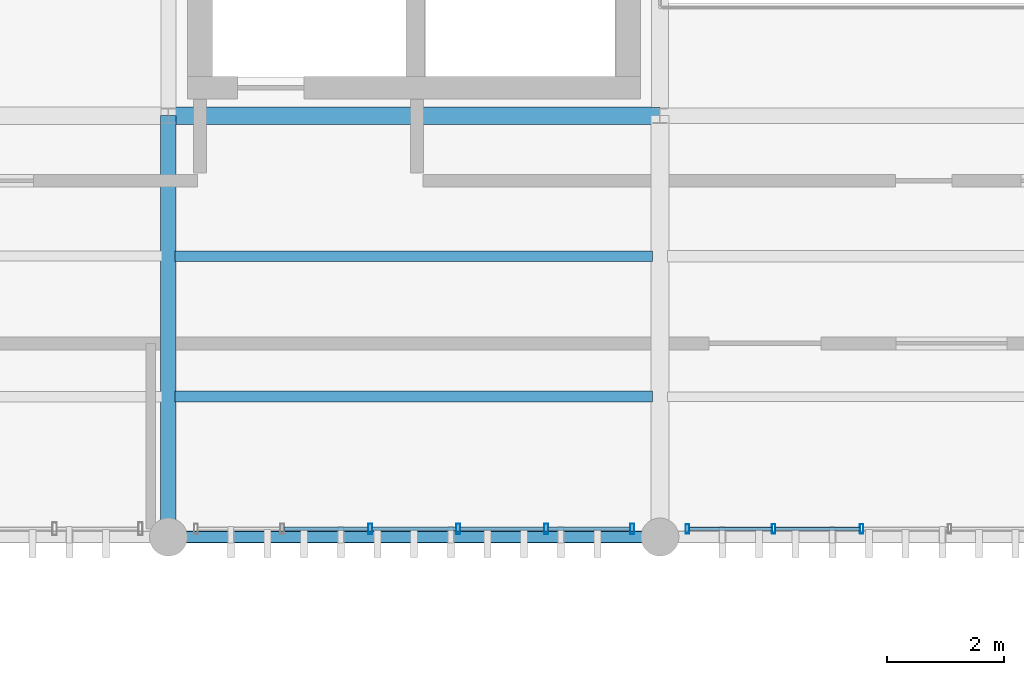
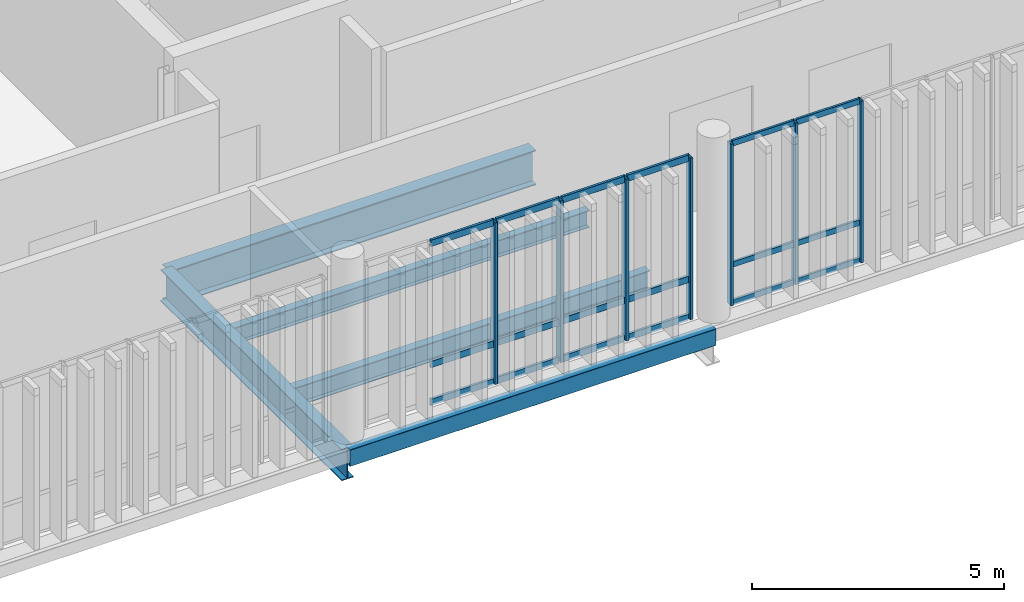
# One storey, part 24 of 66: 25 members, 5 beams, 2 elements without a shape of their own.
"""IFC4 building model written with IfcOpenShell, lengths in metres."""

from ifc_helpers import new_model, si_unit, direction, frame, origin_with_axes, origin_2d_with_axis, place, context, subcontext, project, spatial, hollow_rectangle, i_section, extrude, material, material_profile, profile_set, type_object, element, aggregate, save


model = new_model("IFC4")

# Units and contexts
model_context = context("Model", 3, precision=1e-05, world=origin_with_axes(), true_north=direction((0.0, 1.0)))
body_context = subcontext(model_context, "Body", "Model", "MODEL_VIEW")
ifc_project = project(units=[si_unit("LENGTHUNIT", "METRE"), si_unit("AREAUNIT", "SQUARE_METRE"), si_unit("VOLUMEUNIT", "CUBIC_METRE"), si_unit("PLANEANGLEUNIT", "RADIAN"), si_unit("MASSUNIT", "GRAM", prefix="KILO"), si_unit("THERMODYNAMICTEMPERATUREUNIT", "KELVIN")], contexts=[model_context])

# Site, building, storey
site_placement = place(None, origin_with_axes())
site = spatial("IfcSite", under=ifc_project, at=site_placement, CompositionType="ELEMENT")
building_placement = place(site_placement, origin_with_axes())
building = spatial("IfcBuilding", under=site, at=building_placement, Name="Montbau Bow Law Courts", CompositionType="ELEMENT")
storey_placement = place(building_placement, frame((0.0, 0.0, 34.5), z_axis=(0.0, 0.0, 1.0), x_axis=(1.0, 0.0, 0.0)))
storey = spatial("IfcBuildingStorey", under=building, at=storey_placement, Name="L07", CompositionType="ELEMENT", Elevation=34.5)

# Beams
ifc_material_1 = material(Name="Steel CSA G40.21 Grade 350W (350 MPa)", Category="steel")
ifc_material_profile_1 = material_profile(ifc_material_1, i_section(OverallWidth=0.293, OverallDepth=0.846, WebThickness=0.0154, FlangeThickness=0.0244, at=origin_2d_with_axis()), Name="W840X210", Category="Main", Priority=0)
ifc_profile_set_1 = profile_set([ifc_material_profile_1], Name="Steel CSA G40.21 Grade 350W (350 MPa)")
beam_type_1 = type_object("IfcBeamType", Name="B-FLR-02", PredefinedType="BEAM", material=ifc_profile_set_1)
beam_1_placement = place(None, frame((80.4, 46.2, 33.777), z_axis=(1.0, 0.0, 0.0), x_axis=(0.0, 1.0, 0.0)))
element("IfcBeam", 1, at=beam_1_placement, inside=storey, type_object=beam_type_1, Name="BM-L07-S1027:bm2_1030", PredefinedType="BEAM", context=body_context, shape_type="SweptSolid", body=[
    extrude(i_section(OverallWidth=0.293, OverallDepth=0.846, WebThickness=0.0154, FlangeThickness=0.0244, at=origin_2d_with_axis()), origin_with_axes(), (0.0, 0.0, 1.0), 8.4),
])
ifc_material_profile_2 = material_profile(ifc_material_1, i_section(OverallWidth=0.267, OverallDepth=0.766, WebThickness=0.0149, FlangeThickness=0.0236, at=origin_2d_with_axis()), Name="W760X185", Category="Main", Priority=0)
ifc_profile_set_2 = profile_set([ifc_material_profile_2], Name="Steel CSA G40.21 Grade 350W (350 MPa)")
beam_type_2 = type_object("IfcBeamType", Name="B-FLR-03", PredefinedType="BEAM", material=ifc_profile_set_2)
beam_2_placement = place(None, frame((80.4, 39.0, 33.817), z_axis=(0.0, 1.0, 0.0), x_axis=(-1.0, 0.0, 0.0)))
element("IfcBeam", 2, at=beam_2_placement, inside=storey, type_object=beam_type_2, Name="BM-L07-S1050:bm2_1053", PredefinedType="BEAM", context=body_context, shape_type="SweptSolid", body=[
    extrude(i_section(OverallWidth=0.267, OverallDepth=0.766, WebThickness=0.0149, FlangeThickness=0.0236, at=origin_2d_with_axis()), origin_with_axes(), (0.0, 0.0, 1.0), 7.2),
])
ifc_material_profile_3 = material_profile(ifc_material_1, i_section(OverallWidth=0.191, OverallDepth=0.46, WebThickness=0.0099, FlangeThickness=0.016, at=origin_2d_with_axis()), Name="W460X82", Category="Main", Priority=0)
ifc_profile_set_3 = profile_set([ifc_material_profile_3], Name="Steel CSA G40.21 Grade 350W (350 MPa)")
beam_type_3 = type_object("IfcBeamType", Name="B-JST-01", PredefinedType="JOIST", material=ifc_profile_set_3)
beam_3_placement = place(None, frame((80.51, 41.4, 33.97), z_axis=(1.0, 0.0, 0.0), x_axis=(0.0, 1.0, 0.0)))
element("IfcBeam", 3, at=beam_3_placement, inside=storey, type_object=beam_type_3, Name="JST-L07-S0536:jst2_0536", PredefinedType="JOIST", context=body_context, shape_type="SweptSolid", body=[
    extrude(i_section(OverallWidth=0.191, OverallDepth=0.46, WebThickness=0.0099, FlangeThickness=0.016, at=origin_2d_with_axis()), origin_with_axes(), (0.0, 0.0, 1.0), 8.161),
])
ifc_material_profile_4 = material_profile(ifc_material_1, i_section(OverallWidth=0.179, OverallDepth=0.41, WebThickness=0.0088, FlangeThickness=0.0144, at=origin_2d_with_axis()), Name="W410X67", Category="Main", Priority=0)
ifc_profile_set_4 = profile_set([ifc_material_profile_4], Name="Steel CSA G40.21 Grade 350W (350 MPa)")
beam_type_4 = type_object("IfcBeamType", Name="B-JST-02", PredefinedType="JOIST", material=ifc_profile_set_4)
beam_4_placement = place(None, frame((80.51, 43.8, 33.995), z_axis=(1.0, 0.0, 0.0), x_axis=(0.0, 1.0, 0.0)))
element("IfcBeam", 4, at=beam_4_placement, inside=storey, type_object=beam_type_4, Name="JST-L07-S0537:jst2_0537", PredefinedType="JOIST", context=body_context, shape_type="SweptSolid", body=[
    extrude(i_section(OverallWidth=0.179, OverallDepth=0.41, WebThickness=0.0088, FlangeThickness=0.0144, at=origin_2d_with_axis()), origin_with_axes(), (0.0, 0.0, 1.0), 8.161),
])
ifc_material_2 = material(Name="Steel CSA G40.21 Grade 350WT (350 MPa)", Category="steel")
ifc_material_profile_5 = material_profile(ifc_material_2, hollow_rectangle(XDim=0.203, YDim=0.406, WallThickness=0.0127, InnerFilletRadius=0.0254, OuterFilletRadius=0.0127, at=origin_2d_with_axis()), Name="HSS406X203X13", Category="Main", Priority=0)
ifc_profile_set_5 = profile_set([ifc_material_profile_5], Name="Steel CSA G40.21 Grade 350WT (350 MPa)")
beam_type_5 = type_object("IfcBeamType", Name="B-SPN-01", PredefinedType="SPANDREL", material=ifc_profile_set_5)
beam_5_placement = place(None, frame((80.4, 39.0, 33.997), z_axis=(1.0, 0.0, 0.0), x_axis=(0.0, 1.0, 0.0)))
element("IfcBeam", 5, at=beam_5_placement, inside=storey, type_object=beam_type_5, Name="SPN-L07-S1021:bm2_1024", PredefinedType="SPANDREL", context=body_context, shape_type="SweptSolid", body=[
    extrude(hollow_rectangle(XDim=0.203, YDim=0.406, WallThickness=0.0127, InnerFilletRadius=0.0254, OuterFilletRadius=0.0127, at=origin_2d_with_axis()), origin_with_axes(), (0.0, 0.0, 1.0), 8.4),
])

# Curtain wall, members
ifc_material_3 = material(Name="Thermally Broken Extruded Aluminium AA 6063-T6", Category="aluminium")
curtain_wall_type = type_object("IfcCurtainWallType", Name="CW-CRM-02", PredefinedType="NOTDEFINED", material=ifc_material_3)
curtain_wall_1_placement = place(None, frame((80.84, 39.14, 34.5), z_axis=(0.0, 0.0, 1.0), x_axis=(1.0, 0.0, 0.0)))
curtain_wall_1 = element("IfcCurtainWall", 6, at=curtain_wall_1_placement, inside=storey, type_object=curtain_wall_type, Name="CW-L07-244:cw_0244", PredefinedType="NOTDEFINED")
ifc_material_profile_6 = material_profile(ifc_material_3, hollow_rectangle(XDim=0.065, YDim=0.18, WallThickness=0.005, InnerFilletRadius=0.01, OuterFilletRadius=0.005, at=origin_2d_with_axis()), Name="CWM-180X65", Category="Main", Priority=0)
ifc_profile_set_6 = profile_set([ifc_material_profile_6], Name="Thermally Broken Extruded Aluminium AA 6063-T6")
member_type_1 = type_object("IfcMemberType", Name="M-MUL-02", PredefinedType="MULLION", material=ifc_profile_set_6)
member_1_placement = place(None, frame((83.848, 39.14, 34.5), z_axis=(0.0, 0.0, 1.0), x_axis=(1.0, 0.0, 0.0)))
member_1 = element("IfcMember", 7, at=member_1_placement, type_object=member_type_1, Name="CW-L07-244-M03:cw_0244_M03", PredefinedType="MULLION", context=body_context, shape_type="SweptSolid", body=[
    extrude(hollow_rectangle(XDim=0.065, YDim=0.18, WallThickness=0.005, InnerFilletRadius=0.01, OuterFilletRadius=0.005, at=origin_2d_with_axis()), origin_with_axes(), (0.0, 0.0, 1.0), 3.92),
])
member_2_placement = place(None, frame((85.352, 39.14, 34.5), z_axis=(0.0, 0.0, 1.0), x_axis=(1.0, 0.0, 0.0)))
member_2 = element("IfcMember", 8, at=member_2_placement, type_object=member_type_1, Name="CW-L07-244-M04:cw_0244_M04", PredefinedType="MULLION", context=body_context, shape_type="SweptSolid", body=[
    extrude(hollow_rectangle(XDim=0.065, YDim=0.18, WallThickness=0.005, InnerFilletRadius=0.01, OuterFilletRadius=0.005, at=origin_2d_with_axis()), origin_with_axes(), (0.0, 0.0, 1.0), 3.92),
])
member_3_placement = place(None, frame((86.856, 39.14, 34.5), z_axis=(0.0, 0.0, 1.0), x_axis=(1.0, 0.0, 0.0)))
member_3 = element("IfcMember", 9, at=member_3_placement, type_object=member_type_1, Name="CW-L07-244-M05:cw_0244_M05", PredefinedType="MULLION", context=body_context, shape_type="SweptSolid", body=[
    extrude(hollow_rectangle(XDim=0.065, YDim=0.18, WallThickness=0.005, InnerFilletRadius=0.01, OuterFilletRadius=0.005, at=origin_2d_with_axis()), origin_with_axes(), (0.0, 0.0, 1.0), 3.92),
])
member_4_placement = place(None, frame((88.327, 39.14, 34.5), z_axis=(0.0, 0.0, 1.0), x_axis=(1.0, 0.0, 0.0)))
member_4 = element("IfcMember", 10, at=member_4_placement, type_object=member_type_1, Name="CW-L07-244-M06:cw_0244_M06", PredefinedType="MULLION", context=body_context, shape_type="SweptSolid", body=[
    extrude(hollow_rectangle(XDim=0.065, YDim=0.18, WallThickness=0.005, InnerFilletRadius=0.01, OuterFilletRadius=0.005, at=origin_2d_with_axis()), origin_with_axes(), (0.0, 0.0, 1.0), 3.92),
])

curtain_wall_2_placement = place(None, frame((89.24, 39.14, 34.5), z_axis=(0.0, 0.0, 1.0), x_axis=(1.0, 0.0, 0.0)))
curtain_wall_2 = element("IfcCurtainWall", 11, at=curtain_wall_2_placement, inside=storey, type_object=curtain_wall_type, Name="CW-L07-245:cw_0245", PredefinedType="NOTDEFINED")
ifc_material_profile_7 = material_profile(ifc_material_3, hollow_rectangle(XDim=0.06, YDim=0.16, WallThickness=0.004, InnerFilletRadius=0.008, OuterFilletRadius=0.004, at=origin_2d_with_axis()), Name="CWM-160X60", Category="Main", Priority=0)
ifc_profile_set_7 = profile_set([ifc_material_profile_7], Name="Thermally Broken Extruded Aluminium AA 6063-T6")
member_type_2 = type_object("IfcMemberType", Name="M-MUL-03", PredefinedType="MULLION", material=ifc_profile_set_7)
member_5_placement = place(None, frame((89.27, 39.14, 34.5), z_axis=(0.0, 0.0, 1.0), x_axis=(1.0, 0.0, 0.0)))
member_5 = element("IfcMember", 12, at=member_5_placement, type_object=member_type_2, Name="CW-L07-245-M01:cw_0245_M01", PredefinedType="MULLION", context=body_context, shape_type="SweptSolid", body=[
    extrude(hollow_rectangle(XDim=0.06, YDim=0.16, WallThickness=0.004, InnerFilletRadius=0.008, OuterFilletRadius=0.004, at=origin_2d_with_axis()), origin_with_axes(), (0.0, 0.0, 1.0), 3.92),
])
member_6_placement = place(None, frame((90.744, 39.14, 34.5), z_axis=(0.0, 0.0, 1.0), x_axis=(1.0, 0.0, 0.0)))
member_6 = element("IfcMember", 13, at=member_6_placement, type_object=member_type_2, Name="CW-L07-245-M02:cw_0245_M02", PredefinedType="MULLION", context=body_context, shape_type="SweptSolid", body=[
    extrude(hollow_rectangle(XDim=0.06, YDim=0.16, WallThickness=0.004, InnerFilletRadius=0.008, OuterFilletRadius=0.004, at=origin_2d_with_axis()), origin_with_axes(), (0.0, 0.0, 1.0), 3.92),
])
member_7_placement = place(None, frame((92.248, 39.14, 34.5), z_axis=(0.0, 0.0, 1.0), x_axis=(1.0, 0.0, 0.0)))
member_7 = element("IfcMember", 14, at=member_7_placement, type_object=member_type_2, Name="CW-L07-245-M03:cw_0245_M03", PredefinedType="MULLION", context=body_context, shape_type="SweptSolid", body=[
    extrude(hollow_rectangle(XDim=0.06, YDim=0.16, WallThickness=0.004, InnerFilletRadius=0.008, OuterFilletRadius=0.004, at=origin_2d_with_axis()), origin_with_axes(), (0.0, 0.0, 1.0), 3.92),
])

# Member
ifc_material_profile_8 = material_profile(ifc_material_3, hollow_rectangle(XDim=0.06, YDim=0.16, WallThickness=0.004, InnerFilletRadius=0.008, OuterFilletRadius=0.004, at=origin_2d_with_axis()), Name="CWT-160X60", Category="Main", Priority=0)
ifc_profile_set_8 = profile_set([ifc_material_profile_8], Name="Thermally Broken Extruded Aluminium AA 6063-T6")
member_type_3 = type_object("IfcMemberType", Name="M-TRN-01", PredefinedType="USERDEFINED", material=ifc_profile_set_8)
member_8_placement = place(None, frame((82.378, 39.14, 34.53), z_axis=(1.0, 0.0, 0.0), x_axis=(0.0, 1.0, 0.0)))
member_8 = element("IfcMember", 15, at=member_8_placement, type_object=member_type_3, Name="CW-L07-244-T02-1:cw_0244_T02_1", ObjectType="TRANSOM", PredefinedType="USERDEFINED", context=body_context, shape_type="SweptSolid", body=[
    extrude(hollow_rectangle(XDim=0.06, YDim=0.16, WallThickness=0.004, InnerFilletRadius=0.008, OuterFilletRadius=0.004, at=origin_2d_with_axis()), origin_with_axes(), (0.0, 0.0, 1.0), 1.436),
])

member_9_placement = place(None, frame((82.378, 39.14, 35.45), z_axis=(1.0, 0.0, 0.0), x_axis=(0.0, 1.0, 0.0)))
member_9 = element("IfcMember", 16, at=member_9_placement, type_object=member_type_3, Name="CW-L07-244-T02-2:cw_0244_T02_2", ObjectType="TRANSOM", PredefinedType="USERDEFINED", context=body_context, shape_type="SweptSolid", body=[
    extrude(hollow_rectangle(XDim=0.06, YDim=0.16, WallThickness=0.004, InnerFilletRadius=0.008, OuterFilletRadius=0.004, at=origin_2d_with_axis()), origin_with_axes(), (0.0, 0.0, 1.0), 1.436),
])

member_10_placement = place(None, frame((82.378, 39.14, 38.39), z_axis=(1.0, 0.0, 0.0), x_axis=(0.0, 1.0, 0.0)))
member_10 = element("IfcMember", 17, at=member_10_placement, type_object=member_type_3, Name="CW-L07-244-T02-3:cw_0244_T02_3", ObjectType="TRANSOM", PredefinedType="USERDEFINED", context=body_context, shape_type="SweptSolid", body=[
    extrude(hollow_rectangle(XDim=0.06, YDim=0.16, WallThickness=0.004, InnerFilletRadius=0.008, OuterFilletRadius=0.004, at=origin_2d_with_axis()), origin_with_axes(), (0.0, 0.0, 1.0), 1.436),
])

member_11_placement = place(None, frame((83.882, 39.14, 34.53), z_axis=(1.0, 0.0, 0.0), x_axis=(0.0, 1.0, 0.0)))
member_11 = element("IfcMember", 18, at=member_11_placement, type_object=member_type_3, Name="CW-L07-244-T03-1:cw_0244_T03_1", ObjectType="TRANSOM", PredefinedType="USERDEFINED", context=body_context, shape_type="SweptSolid", body=[
    extrude(hollow_rectangle(XDim=0.06, YDim=0.16, WallThickness=0.004, InnerFilletRadius=0.008, OuterFilletRadius=0.004, at=origin_2d_with_axis()), origin_with_axes(), (0.0, 0.0, 1.0), 1.436),
])

member_12_placement = place(None, frame((83.882, 39.14, 35.45), z_axis=(1.0, 0.0, 0.0), x_axis=(0.0, 1.0, 0.0)))
member_12 = element("IfcMember", 19, at=member_12_placement, type_object=member_type_3, Name="CW-L07-244-T03-2:cw_0244_T03_2", ObjectType="TRANSOM", PredefinedType="USERDEFINED", context=body_context, shape_type="SweptSolid", body=[
    extrude(hollow_rectangle(XDim=0.06, YDim=0.16, WallThickness=0.004, InnerFilletRadius=0.008, OuterFilletRadius=0.004, at=origin_2d_with_axis()), origin_with_axes(), (0.0, 0.0, 1.0), 1.436),
])

member_13_placement = place(None, frame((83.882, 39.14, 38.39), z_axis=(1.0, 0.0, 0.0), x_axis=(0.0, 1.0, 0.0)))
member_13 = element("IfcMember", 20, at=member_13_placement, type_object=member_type_3, Name="CW-L07-244-T03-3:cw_0244_T03_3", ObjectType="TRANSOM", PredefinedType="USERDEFINED", context=body_context, shape_type="SweptSolid", body=[
    extrude(hollow_rectangle(XDim=0.06, YDim=0.16, WallThickness=0.004, InnerFilletRadius=0.008, OuterFilletRadius=0.004, at=origin_2d_with_axis()), origin_with_axes(), (0.0, 0.0, 1.0), 1.436),
])

member_14_placement = place(None, frame((85.386, 39.14, 34.53), z_axis=(1.0, 0.0, 0.0), x_axis=(0.0, 1.0, 0.0)))
member_14 = element("IfcMember", 21, at=member_14_placement, type_object=member_type_3, Name="CW-L07-244-T04-1:cw_0244_T04_1", ObjectType="TRANSOM", PredefinedType="USERDEFINED", context=body_context, shape_type="SweptSolid", body=[
    extrude(hollow_rectangle(XDim=0.06, YDim=0.16, WallThickness=0.004, InnerFilletRadius=0.008, OuterFilletRadius=0.004, at=origin_2d_with_axis()), origin_with_axes(), (0.0, 0.0, 1.0), 1.436),
])

member_15_placement = place(None, frame((85.386, 39.14, 35.45), z_axis=(1.0, 0.0, 0.0), x_axis=(0.0, 1.0, 0.0)))
member_15 = element("IfcMember", 22, at=member_15_placement, type_object=member_type_3, Name="CW-L07-244-T04-2:cw_0244_T04_2", ObjectType="TRANSOM", PredefinedType="USERDEFINED", context=body_context, shape_type="SweptSolid", body=[
    extrude(hollow_rectangle(XDim=0.06, YDim=0.16, WallThickness=0.004, InnerFilletRadius=0.008, OuterFilletRadius=0.004, at=origin_2d_with_axis()), origin_with_axes(), (0.0, 0.0, 1.0), 1.436),
])

member_16_placement = place(None, frame((85.386, 39.14, 38.39), z_axis=(1.0, 0.0, 0.0), x_axis=(0.0, 1.0, 0.0)))
member_16 = element("IfcMember", 23, at=member_16_placement, type_object=member_type_3, Name="CW-L07-244-T04-3:cw_0244_T04_3", ObjectType="TRANSOM", PredefinedType="USERDEFINED", context=body_context, shape_type="SweptSolid", body=[
    extrude(hollow_rectangle(XDim=0.06, YDim=0.16, WallThickness=0.004, InnerFilletRadius=0.008, OuterFilletRadius=0.004, at=origin_2d_with_axis()), origin_with_axes(), (0.0, 0.0, 1.0), 1.436),
])

member_17_placement = place(None, frame((86.89, 39.14, 34.53), z_axis=(1.0, 0.0, 0.0), x_axis=(0.0, 1.0, 0.0)))
member_17 = element("IfcMember", 24, at=member_17_placement, type_object=member_type_3, Name="CW-L07-244-T05-1:cw_0244_T05_1", ObjectType="TRANSOM", PredefinedType="USERDEFINED", context=body_context, shape_type="SweptSolid", body=[
    extrude(hollow_rectangle(XDim=0.06, YDim=0.16, WallThickness=0.004, InnerFilletRadius=0.008, OuterFilletRadius=0.004, at=origin_2d_with_axis()), origin_with_axes(), (0.0, 0.0, 1.0), 1.403),
])

member_18_placement = place(None, frame((86.89, 39.14, 35.45), z_axis=(1.0, 0.0, 0.0), x_axis=(0.0, 1.0, 0.0)))
member_18 = element("IfcMember", 25, at=member_18_placement, type_object=member_type_3, Name="CW-L07-244-T05-2:cw_0244_T05_2", ObjectType="TRANSOM", PredefinedType="USERDEFINED", context=body_context, shape_type="SweptSolid", body=[
    extrude(hollow_rectangle(XDim=0.06, YDim=0.16, WallThickness=0.004, InnerFilletRadius=0.008, OuterFilletRadius=0.004, at=origin_2d_with_axis()), origin_with_axes(), (0.0, 0.0, 1.0), 1.403),
])

member_19_placement = place(None, frame((86.89, 39.14, 38.39), z_axis=(1.0, 0.0, 0.0), x_axis=(0.0, 1.0, 0.0)))
member_19 = element("IfcMember", 26, at=member_19_placement, type_object=member_type_3, Name="CW-L07-244-T05-3:cw_0244_T05_3", ObjectType="TRANSOM", PredefinedType="USERDEFINED", context=body_context, shape_type="SweptSolid", body=[
    extrude(hollow_rectangle(XDim=0.06, YDim=0.16, WallThickness=0.004, InnerFilletRadius=0.008, OuterFilletRadius=0.004, at=origin_2d_with_axis()), origin_with_axes(), (0.0, 0.0, 1.0), 1.403),
])

aggregate(curtain_wall_1, [member_1, member_2, member_3, member_4, member_8, member_9, member_10, member_11, member_12, member_13, member_14, member_15, member_16, member_17, member_18, member_19])

ifc_material_profile_9 = material_profile(ifc_material_3, hollow_rectangle(XDim=0.055, YDim=0.14, WallThickness=0.004, InnerFilletRadius=0.008, OuterFilletRadius=0.004, at=origin_2d_with_axis()), Name="CWT-140X55", Category="Main", Priority=0)
ifc_profile_set_9 = profile_set([ifc_material_profile_9], Name="Thermally Broken Extruded Aluminium AA 6063-T6")
member_type_4 = type_object("IfcMemberType", Name="M-TRN-02", PredefinedType="USERDEFINED", material=ifc_profile_set_9)
member_20_placement = place(None, frame((89.302, 39.14, 34.528), z_axis=(1.0, 0.0, 0.0), x_axis=(0.0, 1.0, 0.0)))
member_20 = element("IfcMember", 27, at=member_20_placement, type_object=member_type_4, Name="CW-L07-245-T01-1:cw_0245_T01_1", ObjectType="TRANSOM", PredefinedType="USERDEFINED", context=body_context, shape_type="SweptSolid", body=[
    extrude(hollow_rectangle(XDim=0.055, YDim=0.14, WallThickness=0.004, InnerFilletRadius=0.008, OuterFilletRadius=0.004, at=origin_2d_with_axis()), origin_with_axes(), (0.0, 0.0, 1.0), 1.41),
])

member_21_placement = place(None, frame((89.302, 39.14, 35.45), z_axis=(1.0, 0.0, 0.0), x_axis=(0.0, 1.0, 0.0)))
member_21 = element("IfcMember", 28, at=member_21_placement, type_object=member_type_4, Name="CW-L07-245-T01-2:cw_0245_T01_2", ObjectType="TRANSOM", PredefinedType="USERDEFINED", context=body_context, shape_type="SweptSolid", body=[
    extrude(hollow_rectangle(XDim=0.055, YDim=0.14, WallThickness=0.004, InnerFilletRadius=0.008, OuterFilletRadius=0.004, at=origin_2d_with_axis()), origin_with_axes(), (0.0, 0.0, 1.0), 1.41),
])

member_22_placement = place(None, frame((89.302, 39.14, 38.392), z_axis=(1.0, 0.0, 0.0), x_axis=(0.0, 1.0, 0.0)))
member_22 = element("IfcMember", 29, at=member_22_placement, type_object=member_type_4, Name="CW-L07-245-T01-3:cw_0245_T01_3", ObjectType="TRANSOM", PredefinedType="USERDEFINED", context=body_context, shape_type="SweptSolid", body=[
    extrude(hollow_rectangle(XDim=0.055, YDim=0.14, WallThickness=0.004, InnerFilletRadius=0.008, OuterFilletRadius=0.004, at=origin_2d_with_axis()), origin_with_axes(), (0.0, 0.0, 1.0), 1.41),
])

member_23_placement = place(None, frame((90.776, 39.14, 34.528), z_axis=(1.0, 0.0, 0.0), x_axis=(0.0, 1.0, 0.0)))
member_23 = element("IfcMember", 30, at=member_23_placement, type_object=member_type_4, Name="CW-L07-245-T02-1:cw_0245_T02_1", ObjectType="TRANSOM", PredefinedType="USERDEFINED", context=body_context, shape_type="SweptSolid", body=[
    extrude(hollow_rectangle(XDim=0.055, YDim=0.14, WallThickness=0.004, InnerFilletRadius=0.008, OuterFilletRadius=0.004, at=origin_2d_with_axis()), origin_with_axes(), (0.0, 0.0, 1.0), 1.44),
])

member_24_placement = place(None, frame((90.776, 39.14, 35.45), z_axis=(1.0, 0.0, 0.0), x_axis=(0.0, 1.0, 0.0)))
member_24 = element("IfcMember", 31, at=member_24_placement, type_object=member_type_4, Name="CW-L07-245-T02-2:cw_0245_T02_2", ObjectType="TRANSOM", PredefinedType="USERDEFINED", context=body_context, shape_type="SweptSolid", body=[
    extrude(hollow_rectangle(XDim=0.055, YDim=0.14, WallThickness=0.004, InnerFilletRadius=0.008, OuterFilletRadius=0.004, at=origin_2d_with_axis()), origin_with_axes(), (0.0, 0.0, 1.0), 1.44),
])

member_25_placement = place(None, frame((90.776, 39.14, 38.392), z_axis=(1.0, 0.0, 0.0), x_axis=(0.0, 1.0, 0.0)))
member_25 = element("IfcMember", 32, at=member_25_placement, type_object=member_type_4, Name="CW-L07-245-T02-3:cw_0245_T02_3", ObjectType="TRANSOM", PredefinedType="USERDEFINED", context=body_context, shape_type="SweptSolid", body=[
    extrude(hollow_rectangle(XDim=0.055, YDim=0.14, WallThickness=0.004, InnerFilletRadius=0.008, OuterFilletRadius=0.004, at=origin_2d_with_axis()), origin_with_axes(), (0.0, 0.0, 1.0), 1.44),
])

aggregate(curtain_wall_2, [member_5, member_6, member_7, member_20, member_21, member_22, member_23, member_24, member_25])

save(model, "model.ifc")
